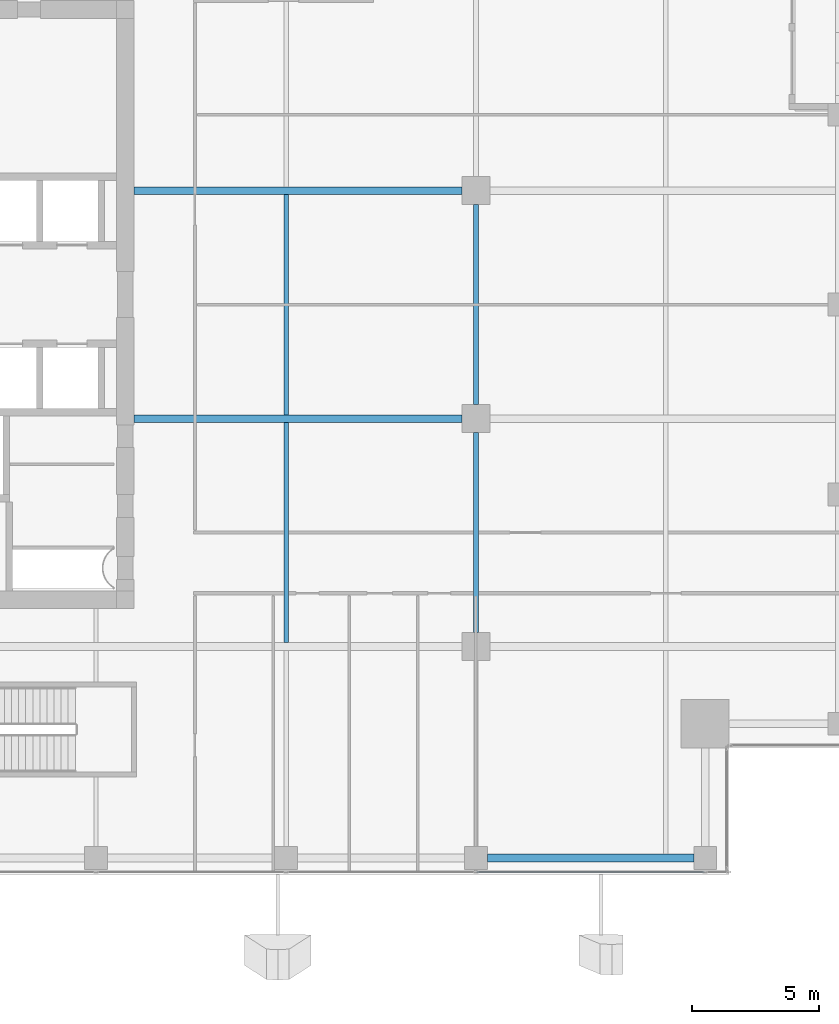
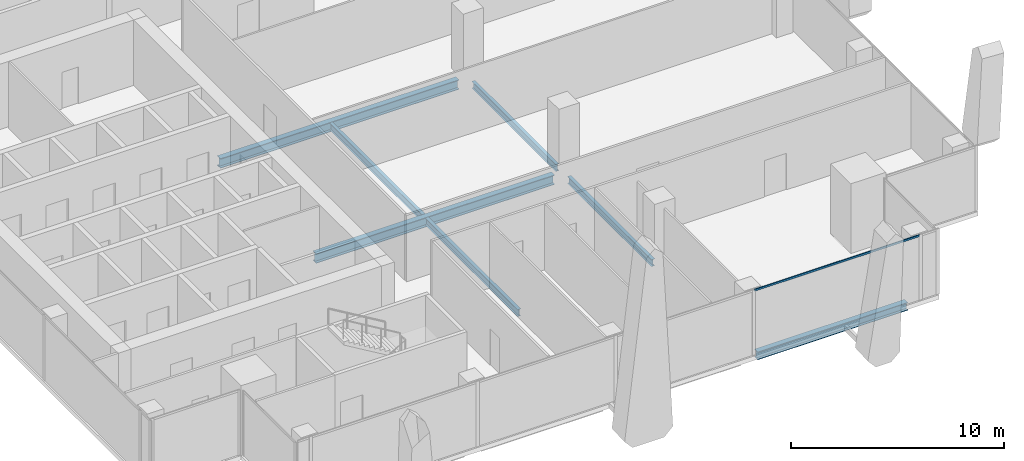
# One storey, part 7 of 35: 7 beams, 1 member, 1 element without a shape of its own.
"""IFC4 building model written with IfcOpenShell, lengths in metres."""

import ifcopenshell
import ifcopenshell.guid

model = None  # the IFC model being written
_history = None  # IfcOwnerHistory: only IFC2X3 demands one
_inside = {}  # id of a spatial element -> (the spatial element, [elements in it])
_under = {}  # id of a project, library or spatial element -> (it, [spatial elements below it])
_declared = {}  # id of a project -> (the project, [libraries it declares])
_typed = {}  # id of a type object -> (the type object, [elements of that type])
_made_of = {}  # id of a material, layer set ... -> (it, [elements and type objects made of it])


def new_model(schema):
    """Start an empty IFC model of exactly this schema.

    Asked for "IFC4X3", IfcOpenShell would pick the latest addendum, in which some entities
    have other attributes; the version numbers below select the first issue.
    IFC2X3 requires an IfcOwnerHistory on every rooted entity: one is made here for all.
    """
    global model, _history
    if schema == "IFC4X3":
        model = ifcopenshell.file(schema_version=(4, 3, 0, 0))
    else:
        model = ifcopenshell.file(schema=schema)
    _inside.clear()
    _under.clear()
    _declared.clear()
    _typed.clear()
    _made_of.clear()
    _history = None
    if model.schema == "IFC2X3":
        org = make("IfcOrganization", Name="unknown")
        user = make(
            "IfcPersonAndOrganization",
            ThePerson=make("IfcPerson", FamilyName="unknown"),
            TheOrganization=org,
        )
        app = make(
            "IfcApplication",
            ApplicationDeveloper=org,
            Version="unknown",
            ApplicationFullName="unknown",
            ApplicationIdentifier="unknown",
        )
        _history = make(
            "IfcOwnerHistory",
            OwningUser=user,
            OwningApplication=app,
            ChangeAction="ADDED",
            CreationDate=0,
        )
    return model


def make(cls, **values):
    """One entity of the class cls with the attributes given. An attribute that is None is left unset."""
    return model.create_entity(
        cls, **{name: value for name, value in values.items() if value is not None}
    )


def rooted(cls, **values):
    """An entity with a GlobalId (a new one), such as an element, a storey or a relation."""
    return make(cls, GlobalId=ifcopenshell.guid.new(), OwnerHistory=_history, **values)


def si_unit(unit_type, name, prefix=None):
    """IfcSIUnit, for example si_unit("LENGTHUNIT", "METRE", prefix="MILLI")."""
    return make("IfcSIUnit", UnitType=unit_type, Prefix=prefix, Name=name)


def assignment(units):
    """IfcUnitAssignment: the units of a project."""
    return None if units is None else make("IfcUnitAssignment", Units=units)


def point(xyz):
    """IfcCartesianPoint."""
    return None if xyz is None else make("IfcCartesianPoint", Coordinates=xyz)


def direction(xyz):
    """IfcDirection."""
    return None if xyz is None else make("IfcDirection", DirectionRatios=xyz)


def frame(location, z_axis=None, x_axis=None):
    """IfcAxis2Placement3D, a coordinate frame: its origin and axes. An axis left out is left unset."""
    return make(
        "IfcAxis2Placement3D",
        Location=point(location),
        Axis=direction(z_axis),
        RefDirection=direction(x_axis),
    )


def frame_2d(location, x_axis=None):
    """IfcAxis2Placement2D, a coordinate frame in the plane: its origin and x axis."""
    return make(
        "IfcAxis2Placement2D", Location=point(location), RefDirection=direction(x_axis)
    )


def origin():
    """The frame at (0, 0, 0) with its axes left unset."""
    return frame((0.0, 0.0, 0.0))


def origin_2d():
    """The frame at (0, 0) in the plane with its x axis left unset."""
    return frame_2d((0.0, 0.0))


def place(relative_to, where):
    """IfcLocalPlacement: puts the frame where relative to a parent placement (None: the world)."""
    return make(
        "IfcLocalPlacement", PlacementRelTo=relative_to, RelativePlacement=where
    )


def context(
    kind, dimensions, precision=None, world=None, true_north=None, identifier=None
):
    """IfcGeometricRepresentationContext, for example the 3D "Model" context."""
    return make(
        "IfcGeometricRepresentationContext",
        ContextIdentifier=identifier,
        ContextType=kind,
        CoordinateSpaceDimension=dimensions,
        Precision=precision,
        WorldCoordinateSystem=world,
        TrueNorth=true_north,
    )


def subcontext(parent, identifier, kind, view, scale=None):
    """IfcGeometricRepresentationSubContext, for example "Body" below "Model"."""
    return make(
        "IfcGeometricRepresentationSubContext",
        ContextIdentifier=identifier,
        ContextType=kind,
        ParentContext=parent,
        TargetScale=scale,
        TargetView=view,
    )


def project(units=None, contexts=None):
    """IfcProject with its units and contexts."""
    return rooted(
        "IfcProject",
        Name="project",
        RepresentationContexts=contexts,
        UnitsInContext=assignment(units),
    )


def spatial(cls, under=None, at=None, **own):
    """A site, building, storey or space (cls), placed at a placement, below another one or the project."""
    s = rooted(cls, ObjectPlacement=at, **own)
    if under is not None:
        _under.setdefault(under.id(), (under, []))[1].append(s)
    return s


def profile(cls, at=None, kind="AREA", **sizes):
    """A parametric profile (cls). Its sizes go by their IFC names, for example OverallWidth=200.0."""
    return make(cls, ProfileType=kind, Position=at, **sizes)


def hollow_rectangle(**sizes):
    """IfcRectangleHollowProfileDef."""
    return profile("IfcRectangleHollowProfileDef", **sizes)


def i_section(**sizes):
    """IfcIShapeProfileDef."""
    return profile("IfcIShapeProfileDef", **sizes)


def extrude(swept, where, along, depth):
    """IfcExtrudedAreaSolid: the profile swept, set in the frame where, extruded along a direction by depth."""
    return make(
        "IfcExtrudedAreaSolid",
        SweptArea=swept,
        Position=where,
        ExtrudedDirection=direction(along),
        Depth=depth,
    )


def shape(context_of_items, identifier, shape_type, items):
    """IfcShapeRepresentation: the items that make up one representation, for example the "Body"."""
    return make(
        "IfcShapeRepresentation",
        ContextOfItems=context_of_items,
        RepresentationIdentifier=identifier,
        RepresentationType=shape_type,
        Items=items,
    )


def source(mapping_origin, context_of_items, identifier, shape_type, items):
    """IfcRepresentationMap: a shape defined once, which mapped items show again and again."""
    return make(
        "IfcRepresentationMap",
        MappingOrigin=mapping_origin,
        MappedRepresentation=shape(context_of_items, identifier, shape_type, items),
    )


def transform(
    local_origin,
    x_axis=None,
    y_axis=None,
    z_axis=None,
    scale=None,
    scale2=None,
    scale3=None,
    uniform=True,
):
    """IfcCartesianTransformationOperator3D, or its non-uniform kind. x_axis, y_axis, z_axis: its Axis1, 2, 3."""
    if uniform:
        return make(
            "IfcCartesianTransformationOperator3D",
            Axis1=direction(x_axis),
            Axis2=direction(y_axis),
            LocalOrigin=point(local_origin),
            Scale=scale,
            Axis3=direction(z_axis),
        )
    return make(
        "IfcCartesianTransformationOperator3DnonUniform",
        Axis1=direction(x_axis),
        Axis2=direction(y_axis),
        LocalOrigin=point(local_origin),
        Scale=scale,
        Axis3=direction(z_axis),
        Scale2=scale2,
        Scale3=scale3,
    )


def mapped(mapping_source, mapping_target):
    """IfcMappedItem: shows the shape of a source again, moved by a transform."""
    return make(
        "IfcMappedItem", MappingSource=mapping_source, MappingTarget=mapping_target
    )


def material(Name=None, Category=None):
    """IfcMaterial."""
    return make("IfcMaterial", Name=Name, Category=Category)


def material_profile(
    of_material, cross_section, Name=None, Category=None, Priority=None
):
    """IfcMaterialProfile: a cross section and its material."""
    return make(
        "IfcMaterialProfile",
        Name=Name,
        Material=of_material,
        Profile=cross_section,
        Priority=Priority,
        Category=Category,
    )


def profile_set(profiles, Name=None, composite=None):
    """IfcMaterialProfileSet."""
    return make(
        "IfcMaterialProfileSet",
        Name=Name,
        MaterialProfiles=profiles,
        CompositeProfile=composite,
    )


def made_of(thing, what):
    """Note that an element or type object is made of a material, layer set ...; save() writes the relation."""
    if what is not None:
        _made_of.setdefault(what.id(), (what, []))[1].append(thing)
    return thing


def type_object(cls, material=None, **own):
    """A type object (cls), such as IfcWallType, which elements share."""
    return made_of(rooted(cls, **own), material)


def element(
    cls,
    number,
    at=None,
    inside=None,
    cuts=None,
    type_object=None,
    material=None,
    context=None,
    identifier="Body",
    shape_type=None,
    held_by="IfcProductDefinitionShape",
    body=None,
    shapes=None,
    **own,
):
    """One element of the class cls, such as IfcWall. Its Tag is "e" and its number.

    at: its placement. inside: the storey or other place that contains it. cuts: it is an
    opening in that element (IfcRelVoidsElement). A single representation is given by context,
    identifier, shape_type and body (its items); several are given by shapes. held_by: the class
    of the entity that holds the representations. save() writes the other relations.
    """
    e = rooted(cls, Tag="e%d" % number, ObjectPlacement=at, **own)
    if body is not None:
        shapes = [shape(context, identifier, shape_type, body)]
    if shapes is not None:
        e.Representation = make(held_by, Representations=shapes)
    if inside is not None:
        _inside.setdefault(inside.id(), (inside, []))[1].append(e)
    if cuts is not None:
        rooted(
            "IfcRelVoidsElement", RelatingBuildingElement=cuts, RelatedOpeningElement=e
        )
    if type_object is not None:
        _typed.setdefault(type_object.id(), (type_object, []))[1].append(e)
    return made_of(e, material)


def aggregate(whole, parts):
    """IfcRelAggregates: a whole, such as a stair, and the parts it consists of."""
    return rooted("IfcRelAggregates", RelatingObject=whole, RelatedObjects=parts)


def save(model, path):
    """Write the relations noted so far, then the file.

    IfcRelAggregates (storeys below a building ...), IfcRelContainedInSpatialStructure (elements
    in a storey), IfcRelDefinesByType, IfcRelAssociatesMaterial and IfcRelDeclares: one each for
    every whole, place, type object, material and project.
    """
    for whole, parts in _under.values():
        aggregate(whole, parts)
    for where, things in _inside.values():
        rooted(
            "IfcRelContainedInSpatialStructure",
            RelatedElements=things,
            RelatingStructure=where,
        )
    for kind, things in _typed.values():
        rooted("IfcRelDefinesByType", RelatedObjects=things, RelatingType=kind)
    for what, things in _made_of.values():
        rooted("IfcRelAssociatesMaterial", RelatedObjects=things, RelatingMaterial=what)
    for by, libraries in _declared.values():
        rooted("IfcRelDeclares", RelatingContext=by, RelatedDefinitions=libraries)
    model.write(path)


model = new_model("IFC4")

# Units and contexts
model_context = context("Model", 3, precision=1e-05, world=origin(), true_north=direction((0.0, 1.0)))
body_context = subcontext(model_context, "Body", "Model", "MODEL_VIEW")
ifc_project = project(units=[si_unit("LENGTHUNIT", "METRE"), si_unit("AREAUNIT", "SQUARE_METRE"), si_unit("VOLUMEUNIT", "CUBIC_METRE"), si_unit("PLANEANGLEUNIT", "RADIAN"), si_unit("MASSUNIT", "GRAM", prefix="KILO")], contexts=[model_context])

# Site, building, storey
site_placement = place(None, origin())
site = spatial("IfcSite", under=ifc_project, at=site_placement, CompositionType="ELEMENT")
building_placement = place(site_placement, origin())
building = spatial("IfcBuilding", under=site, at=building_placement, Name="Khomas Fold Tower", CompositionType="ELEMENT")
storey_placement = place(building_placement, frame((0.0, 0.0, 250.199951171875)))
storey = spatial("IfcBuildingStorey", under=building, at=storey_placement, Name="L56", CompositionType="ELEMENT", Elevation=250.199951171875)

# Beams
ifc_material_1 = material(Name="Steel S355", Category="steel")
ifc_material_profile_1 = material_profile(ifc_material_1, i_section(OverallWidth=0.179931640625, OverallDepth=0.39990234375, WebThickness=0.008544921875, FlangeThickness=0.013427734375, at=origin_2d()), Name="IPE 400")
ifc_profile_set_1 = profile_set([ifc_material_profile_1], Name="Steel S355")
beam_type_1 = type_object("IfcBeamType", Name="IPE 400 beam JB3", PredefinedType="BEAM", material=ifc_profile_set_1)
shared_shape_1 = source(origin(), body_context, "Body", "SweptSolid", [
    extrude(i_section(OverallWidth=0.179931640625, OverallDepth=0.39990234375, WebThickness=0.008544921875, FlangeThickness=0.013427734375, at=origin_2d()), origin(), (0.0, 0.0, 1.0), 8.7001953125),
])
for number, where, z_axis, x_axis, name in (
    (1, (27.0, 13.64990234375, -0.449951171875), (0.0, 1.0, 0.0), (-1.0, 0.0, 0.0), "JB3"),
    (2, (27.0, 22.64990234375, -0.449951171875), (0.0, 1.0, 0.0), (-1.0, 0.0, 0.0), "JB3"),
):
    element("IfcBeam", number, at=place(storey_placement, frame(where, z_axis=z_axis, x_axis=x_axis)), inside=storey, type_object=beam_type_1, Name=name, PredefinedType="BEAM", context=body_context, shape_type="MappedRepresentation", body=[
        mapped(shared_shape_1, transform((0.0, 0.0, 0.0))),
    ])
ifc_material_2 = material(Name="Steel S355", Category="steel")
ifc_material_profile_2 = material_profile(ifc_material_2, i_section(OverallWidth=0.300048828125, OverallDepth=0.449951171875, WebThickness=0.013916015625, FlangeThickness=0.02587890625, at=origin_2d()), Name="HE 450 B")
ifc_profile_set_2 = profile_set([ifc_material_profile_2], Name="Steel S355")
beam_type_2 = type_object("IfcBeamType", Name="HE 450 B spandrel SB4", PredefinedType="SPANDREL", material=ifc_profile_set_2)
shared_shape_2 = source(origin(), body_context, "Body", "SweptSolid", [
    extrude(i_section(OverallWidth=0.300048828125, OverallDepth=0.449951171875, WebThickness=0.013916015625, FlangeThickness=0.02587890625, at=origin_2d()), origin(), (0.0, 0.0, 1.0), 8.150146484375),
])
beam_placement = place(storey_placement, frame((34.949951171875, 5.14990234375, -0.474853515625), z_axis=(1.0, 0.0, 0.0), x_axis=(0.0, 1.0, 0.0)))
element("IfcBeam", 3, at=beam_placement, inside=storey, type_object=beam_type_2, Name="SB4", PredefinedType="SPANDREL", context=body_context, shape_type="MappedRepresentation", body=[
    mapped(shared_shape_2, transform((0.0, 0.0, 0.0))),
])
ifc_material_3 = material(Name="Steel S355", Category="steel")
ifc_material_profile_3 = material_profile(ifc_material_3, i_section(OverallWidth=0.300048828125, OverallDepth=0.550048828125, WebThickness=0.014892578125, FlangeThickness=0.029052734375, at=origin_2d()), Name="HE 550 B")
ifc_profile_set_3 = profile_set([ifc_material_profile_3], Name="Steel S355")
beam_type_3 = type_object("IfcBeamType", Name="HE 550 B beam GB4", PredefinedType="BEAM", material=ifc_profile_set_3)
shared_shape_3 = source(origin(), body_context, "Body", "SweptSolid", [
    extrude(i_section(OverallWidth=0.300048828125, OverallDepth=0.550048828125, WebThickness=0.014892578125, FlangeThickness=0.029052734375, at=origin_2d()), origin(), (0.0, 0.0, 1.0), 12.949951171875),
])
for number, where, z_axis, x_axis, name in (
    (4, (21.0, 22.5, -0.52490234375), (1.0, 0.0, 0.0), (0.0, 1.0, 0.0), "GB4"),
    (5, (21.0, 31.5, -0.52490234375), (1.0, 0.0, 0.0), (0.0, 1.0, 0.0), "GB4"),
):
    element("IfcBeam", number, at=place(storey_placement, frame(where, z_axis=z_axis, x_axis=x_axis)), inside=storey, type_object=beam_type_3, Name=name, PredefinedType="BEAM", context=body_context, shape_type="MappedRepresentation", body=[
        mapped(shared_shape_3, transform((0.0, 0.0, 0.0))),
    ])
shared_shape_4 = source(origin(), body_context, "Body", "SweptSolid", [
    extrude(i_section(OverallWidth=0.179931640625, OverallDepth=0.39990234375, WebThickness=0.008544921875, FlangeThickness=0.013427734375, at=origin_2d()), origin(), (0.0, 0.0, 1.0), 7.89990234375),
])
for number, where, z_axis, x_axis, name in (
    (6, (34.5, 14.050048828125, -0.449951171875), (0.0, 1.0, 0.0), (-1.0, 0.0, 0.0), "JB3"),
    (7, (34.5, 23.050048828125, -0.449951171875), (0.0, 1.0, 0.0), (-1.0, 0.0, 0.0), "JB3"),
):
    element("IfcBeam", number, at=place(storey_placement, frame(where, z_axis=z_axis, x_axis=x_axis)), inside=storey, type_object=beam_type_1, Name=name, PredefinedType="BEAM", context=body_context, shape_type="MappedRepresentation", body=[
        mapped(shared_shape_4, transform((0.0, 0.0, 0.0))),
    ])

# Curtain wall, member
ifc_material_4 = material(Name="Aluminium framed double glazing", Category="aluminium")
curtain_wall_type = type_object("IfcCurtainWallType", Name="SK-Unitised clear-glass wall, office floors CW2", PredefinedType="NOTDEFINED", material=ifc_material_4)
curtain_wall_placement = place(storey_placement, origin())
curtain_wall = element("IfcCurtainWall", 8, at=curtain_wall_placement, inside=storey, type_object=curtain_wall_type, Name="CW2 run L56 00-0", PredefinedType="NOTDEFINED")
ifc_material_5 = material(Name="Aluminium", Category="aluminium")
ifc_material_profile_4 = material_profile(ifc_material_5, hollow_rectangle(XDim=0.050048828125, YDim=0.110107421875, WallThickness=0.00390625, at=origin_2d()), Name="SK-Unitised clear-glass wall, office floors transom CW2-T")
ifc_profile_set_4 = profile_set([ifc_material_profile_4], Name="Aluminium")
member_type = type_object("IfcMemberType", Name="SK-Unitised clear-glass wall, office floors transom CW2-T", PredefinedType="USERDEFINED", material=ifc_profile_set_4)
shared_shape_5 = source(origin(), body_context, "Body", "SweptSolid", [
    extrude(hollow_rectangle(XDim=0.050048828125, YDim=0.110107421875, WallThickness=0.00390625, at=origin_2d()), origin(), (0.0, 0.0, 1.0), 8.989990234375),
])
member_placement = place(storey_placement, frame((34.530029296875, 4.60009765625, 3.695068359375), z_axis=(1.0, 0.0, 0.0), x_axis=(0.0, 1.0, 0.0)))
member = element("IfcMember", 9, at=member_placement, type_object=member_type, Name="CW2 transom 5", ObjectType="TRANSOM", PredefinedType="USERDEFINED", context=body_context, shape_type="MappedRepresentation", body=[
    mapped(shared_shape_5, transform((0.0, 0.0, 0.0))),
])
aggregate(curtain_wall, [member])

save(model, "model.ifc")
